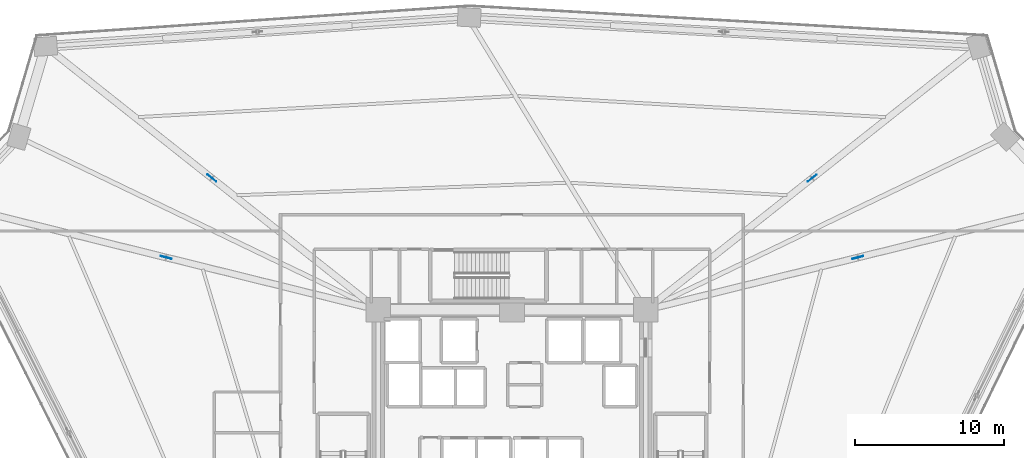
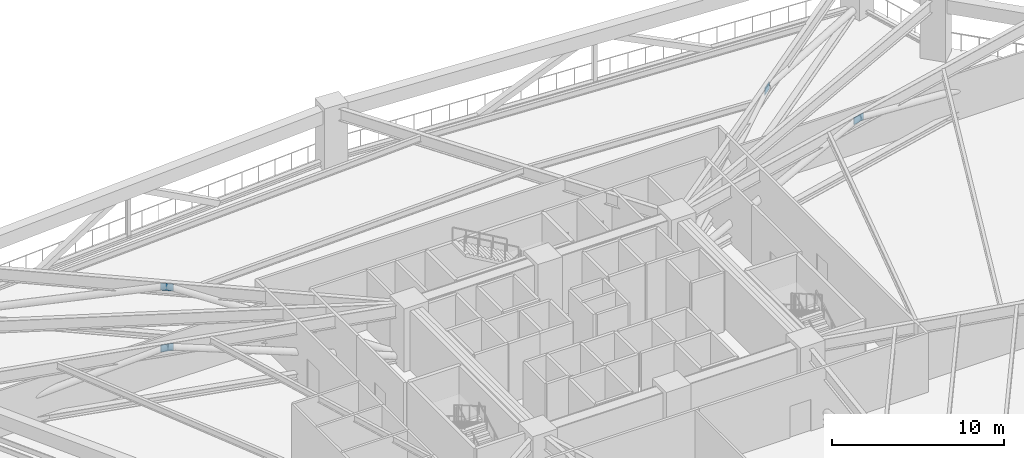
# One storey, part 14 of 25: 4 plates.
"""IFC4 building model written with IfcOpenShell, lengths in metres."""

from ifc_helpers import new_model, si_unit, direction, frame, origin, origin_2d, place, context, subcontext, project, spatial, rectangle, extrude, source, transform, mapped, material, layer, layer_set, type_object, element, save


model = new_model("IFC4")

# Units and contexts
model_context = context("Model", 3, precision=1e-05, world=origin(), true_north=direction((0.0, 1.0)))
body_context = subcontext(model_context, "Body", "Model", "MODEL_VIEW")
ifc_project = project(units=[si_unit("LENGTHUNIT", "METRE"), si_unit("AREAUNIT", "SQUARE_METRE"), si_unit("VOLUMEUNIT", "CUBIC_METRE"), si_unit("PLANEANGLEUNIT", "RADIAN"), si_unit("MASSUNIT", "GRAM", prefix="KILO")], contexts=[model_context])

# Site, building, storey
site_placement = place(None, origin())
site = spatial("IfcSite", under=ifc_project, at=site_placement, CompositionType="ELEMENT")
building_placement = place(site_placement, origin())
building = spatial("IfcBuilding", under=site, at=building_placement, Name="Liaohun Quay Tower", CompositionType="ELEMENT")
storey_placement = place(building_placement, frame((0.0, 0.0, 93.0)))
storey = spatial("IfcBuildingStorey", under=building, at=storey_placement, Name="L24", CompositionType="ELEMENT", Elevation=93.0)

# Plates
ifc_material = material(Name="Steel Q420D outrigger node gusset plate", Category="steel")
ifc_layer = layer(ifc_material, 0.0400390625, Name="Steel Q420D outrigger node gusset plate", Category="steel")
ifc_layer_set = layer_set([ifc_layer], Name="Steel Q420D outrigger node gusset plate")
plate_type = type_object("IfcPlateType", Name="PLT-GUS-OUT", PredefinedType="USERDEFINED", material=ifc_layer_set)
shared_shape = source(origin(), body_context, "Body", "SweptSolid", [
    extrude(rectangle(XDim=0.75, YDim=0.0400390625, at=origin_2d()), origin(), (0.0, 0.0, 1.0), 0.5),
])
for number, where, z_axis, x_axis, name in (
    (1, (36.739013671875, 65.028076171875, 3.570068359375), (0.0, 0.0, 1.0), (-0.970758394496, 0.240058616832, 0.0), "L24 Outrigger Node Gusset Plate GP1-02"),
    (2, (39.819091796875, 70.361083984375, 3.570068359375), (0.0, 0.0, 1.0), (-0.783693457326, 0.621147780278, 0.0), "L24 Outrigger Node Gusset Plate GP1-03"),
    (3, (80.18310546875, 70.35791015625, 3.570068359375), (0.0, 0.0, 1.0), (0.783910231054, 0.620874181818, 0.0), "L24 Outrigger Node Gusset Plate GP1-04"),
    (4, (83.262939453125, 65.02490234375, 3.570068359375), (0.0, 0.0, 1.0), (0.970800277843, 0.239889183874, 0.0), "L24 Outrigger Node Gusset Plate GP1-05"),
):
    element("IfcPlate", number, at=place(storey_placement, frame(where, z_axis=z_axis, x_axis=x_axis)), inside=storey, type_object=plate_type, Name=name, ObjectType="GUSSET PLATE", PredefinedType="USERDEFINED", context=body_context, shape_type="MappedRepresentation", body=[
        mapped(shared_shape, transform((0.0, 0.0, 0.0), x_axis=(1.0, 0.0, 0.0), y_axis=(0.0, 1.0, 0.0), z_axis=(0.0, 0.0, 1.0), scale=1.0)),
    ])

save(model, "model.ifc")
